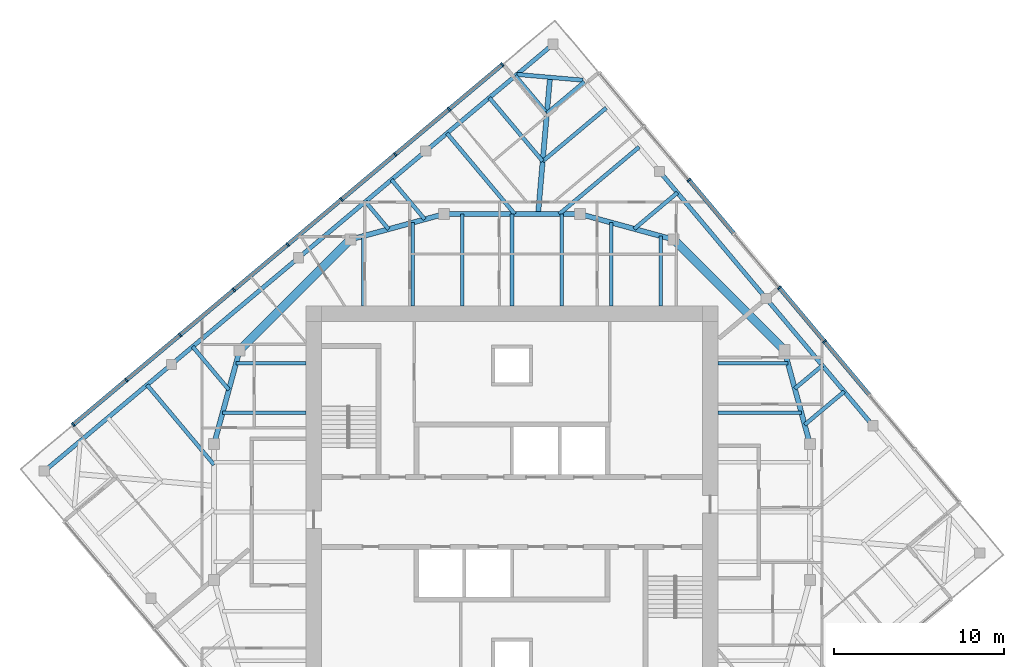
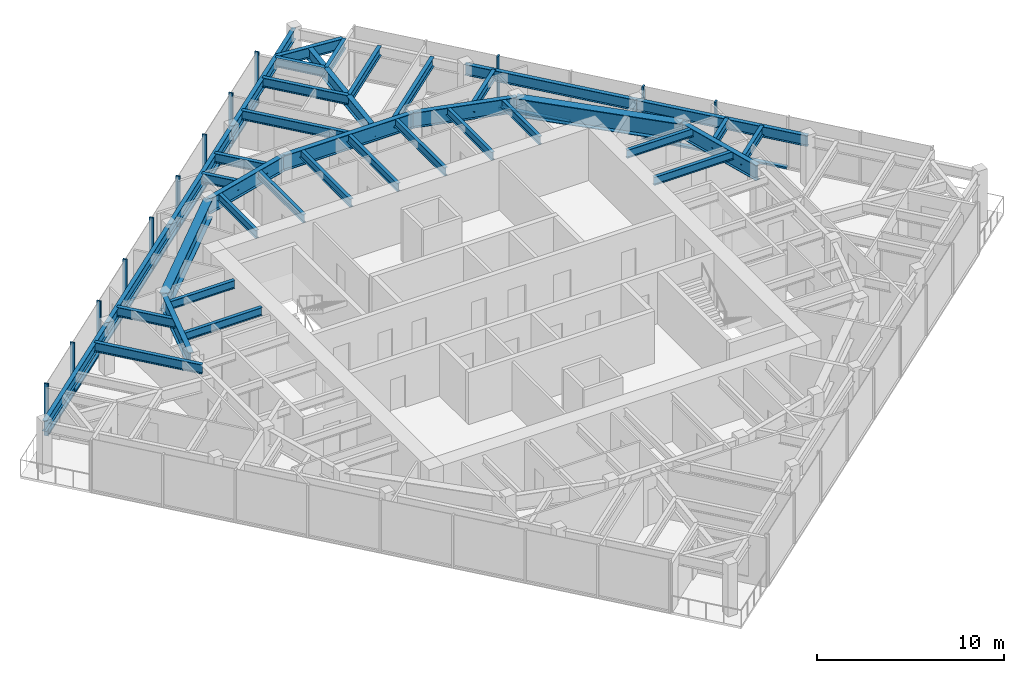
# One storey, part 4 of 12: 39 beams, 23 members, 2 elements without a shape of their own.
"""IFC4 building model written with IfcOpenShell, lengths in metres."""

from ifc_helpers import new_model, si_unit, direction, frame, origin, origin_2d, place, context, subcontext, project, spatial, rectangle, i_section, extrude, material, material_profile, profile_set, type_object, element, aggregate, save


model = new_model("IFC4")

# Units and contexts
model_context = context("Model", 3, precision=1e-05, world=origin(), true_north=direction((0.0, 1.0)))
body_context = subcontext(model_context, "Body", "Model", "MODEL_VIEW")
ifc_project = project(units=[si_unit("LENGTHUNIT", "METRE"), si_unit("AREAUNIT", "SQUARE_METRE"), si_unit("VOLUMEUNIT", "CUBIC_METRE"), si_unit("PLANEANGLEUNIT", "RADIAN"), si_unit("MASSUNIT", "GRAM", prefix="KILO")], contexts=[model_context])

# Site, building, storey
site_placement = place(None, origin())
site = spatial("IfcSite", under=ifc_project, at=site_placement, CompositionType="ELEMENT")
building_placement = place(site_placement, origin())
building = spatial("IfcBuilding", under=site, at=building_placement, Name="Torsade Residences", CompositionType="ELEMENT")
storey_placement = place(building_placement, frame((0.0, 0.0, 296.39990234375)))
storey = spatial("IfcBuildingStorey", under=building, at=storey_placement, Name="L82", CompositionType="ELEMENT", Elevation=296.39990234375)

# Beams
ifc_material_1 = material(Name="Steel grade 300", Category="steel")
ifc_material_profile_1 = material_profile(ifc_material_1, i_section(OverallWidth=0.300048828125, OverallDepth=0.800048828125, WebThickness=0.010009765625, FlangeThickness=0.02001953125, at=origin_2d()), Name="800WB146")
ifc_profile_set_1 = profile_set([ifc_material_profile_1], Name="Steel grade 300")
beam_type_1 = type_object("IfcBeamType", Name="CORNER GIRDER 800WB146", PredefinedType="BEAM", material=ifc_profile_set_1)
beam_1_placement = place(storey_placement, frame((42.234130859375, 55.53515625, 2.800048828125), z_axis=(-0.087172957961, -0.996193191806, 0.0), x_axis=(0.996193191806, -0.087172957961, 0.0)))
element("IfcBeam", 1, at=beam_1_placement, inside=storey, type_object=beam_type_1, Name="Corner girder 09 L83", PredefinedType="BEAM", context=body_context, shape_type="SweptSolid", body=[
    extrude(i_section(OverallWidth=0.300048828125, OverallDepth=0.800048828125, WebThickness=0.010009765625, FlangeThickness=0.02001953125, at=origin_2d()), origin(), (0.0, 0.0, 1.0), 8.06591796875),
])
ifc_material_2 = material(Name="Steel grade 300", Category="steel")
ifc_material_profile_2 = material_profile(ifc_material_2, i_section(OverallWidth=0.25, OverallDepth=0.699951171875, WebThickness=0.010009765625, FlangeThickness=0.02001953125, at=origin_2d()), Name="700WB130")
ifc_profile_set_2 = profile_set([ifc_material_profile_2], Name="Steel grade 300")
beam_type_2 = type_object("IfcBeamType", Name="CORNER TRIMMER 700WB130", PredefinedType="BEAM", material=ifc_profile_set_2)
beam_2_placement = place(storey_placement, frame((40.296875, 55.70458984375, 2.85009765625), z_axis=(0.996196646947, -0.087133464362, 0.0), x_axis=(0.087133464362, 0.996196646947, 0.0)))
element("IfcBeam", 2, at=beam_2_placement, inside=storey, type_object=beam_type_2, Name="Corner trimmer 09 L83", PredefinedType="BEAM", context=body_context, shape_type="SweptSolid", body=[
    extrude(i_section(OverallWidth=0.25, OverallDepth=0.699951171875, WebThickness=0.010009765625, FlangeThickness=0.02001953125, at=origin_2d()), origin(), (0.0, 0.0, 1.0), 3.88916015625),
])
ifc_material_3 = material(Name="Steel grade 300", Category="steel")
ifc_material_profile_3 = material_profile(ifc_material_3, i_section(OverallWidth=0.25, OverallDepth=0.699951171875, WebThickness=0.010009765625, FlangeThickness=0.02001953125, at=origin_2d()), Name="700WB130")
ifc_profile_set_3 = profile_set([ifc_material_profile_3], Name="Steel grade 300")
beam_type_3 = type_object("IfcBeamType", Name="EDGE BEAM 700WB130", PredefinedType="SPANDREL", material=ifc_profile_set_3)
for number, where, z_axis, x_axis, name in (
    (3, (61.205078125, 35.0654296875, 2.85009765625), (-0.642779160279, 0.766051532934, 0.0), (-0.766051532934, -0.642779160279, 0.0), "Edge beam 06 L83"),
    (4, (54.93798828125, 42.534423828125, 2.85009765625), (-0.642806184154, 0.766028856906, 0.0), (-0.766028856906, -0.642806184154, 0.0), "Edge beam 07 L83"),
    (5, (42.403564453125, 57.47216796875, 2.85009765625), (-0.766051532934, -0.642779160279, 0.0), (0.642779160279, -0.766051532934, 0.0), "Edge beam 09 L83"),
    (6, (34.9345703125, 51.205078125, 2.85009765625), (-0.766051532934, -0.642779160279, 0.0), (0.642779160279, -0.766051532934, 0.0), "Edge beam 10 L83"),
    (7, (27.465576171875, 44.93798828125, 2.85009765625), (-0.766028856906, -0.642806184154, 0.0), (0.642806184154, -0.766028856906, 0.0), "Edge beam 11 L83"),
    (8, (19.996826171875, 38.670654296875, 2.85009765625), (-0.766051532934, -0.642779160279, 0.0), (0.642779160279, -0.766051532934, 0.0), "Edge beam 12 L83"),
):
    element("IfcBeam", number, at=place(storey_placement, frame(where, z_axis=z_axis, x_axis=x_axis)), inside=storey, type_object=beam_type_3, Name=name, PredefinedType="SPANDREL", context=body_context, shape_type="SweptSolid", body=[
        extrude(i_section(OverallWidth=0.25, OverallDepth=0.699951171875, WebThickness=0.010009765625, FlangeThickness=0.02001953125, at=origin_2d()), origin(), (0.0, 0.0, 1.0), 9.75),
    ])

# Curtain wall, members
ifc_material_4 = material(Name="Aluminium and glass", Category="aluminium")
curtain_wall_type = type_object("IfcCurtainWallType", Name="FRITTED GLASS CURTAIN WALL HIGH ZONE", PredefinedType="NOTDEFINED", material=ifc_material_4)
curtain_wall_1_placement = place(storey_placement, origin())
curtain_wall_1 = element("IfcCurtainWall", 9, at=curtain_wall_1_placement, inside=storey, type_object=curtain_wall_type, Name="Curtain wall L82 face 4", PredefinedType="NOTDEFINED")
ifc_material_5 = material(Name="Aluminium mullion", Category="aluminium")
ifc_material_profile_4 = material_profile(ifc_material_5, rectangle(XDim=0.25, YDim=0.10009765625, at=origin_2d()), Name="HIGH ZONE CURTAIN WALL MULLION 250x100")
ifc_profile_set_4 = profile_set([ifc_material_profile_4], Name="Aluminium mullion")
member_type_1 = type_object("IfcMemberType", Name="HIGH ZONE CURTAIN WALL MULLION 250x100", PredefinedType="MULLION", material=ifc_profile_set_4)
member_1_placement = place(storey_placement, frame((58.35546875, 40.017333984375, 0.0), z_axis=(0.0, 0.0, 1.0), x_axis=(-0.766044437106, -0.642787616853, 0.0)))
member_1 = element("IfcMember", 10, at=member_1_placement, type_object=member_type_1, Name="Mullion 4", PredefinedType="MULLION", context=body_context, shape_type="SweptSolid", body=[
    extrude(rectangle(XDim=0.25, YDim=0.10009765625, at=origin_2d()), origin(), (0.0, 0.0, 1.0), 3.400146484375),
])
member_2_placement = place(storey_placement, frame((55.703857421875, 43.17724609375, 0.0), z_axis=(0.0, 0.0, 1.0), x_axis=(-0.766044437106, -0.642787616853, 0.0)))
member_2 = element("IfcMember", 11, at=member_2_placement, type_object=member_type_1, Name="Mullion 5", PredefinedType="MULLION", context=body_context, shape_type="SweptSolid", body=[
    extrude(rectangle(XDim=0.25, YDim=0.10009765625, at=origin_2d()), origin(), (0.0, 0.0, 1.0), 3.400146484375),
])
member_3_placement = place(storey_placement, frame((50.40087890625, 49.4970703125, 0.0), z_axis=(0.0, 0.0, 1.0), x_axis=(-0.766044437106, -0.642787616853, 0.0)))
member_3 = element("IfcMember", 12, at=member_3_placement, type_object=member_type_1, Name="Mullion 7", PredefinedType="MULLION", context=body_context, shape_type="SweptSolid", body=[
    extrude(rectangle(XDim=0.25, YDim=0.10009765625, at=origin_2d()), origin(), (0.0, 0.0, 1.0), 3.400146484375),
])

curtain_wall_2_placement = place(storey_placement, origin())
curtain_wall_2 = element("IfcCurtainWall", 13, at=curtain_wall_2_placement, inside=storey, type_object=curtain_wall_type, Name="Curtain wall L82 face 7", PredefinedType="NOTDEFINED")
member_4_placement = place(storey_placement, frame((39.42431640625, 56.27783203125, 0.0), z_axis=(0.0, 0.0, 1.0), x_axis=(0.642787616853, -0.766044437106, 0.0)))
member_4 = element("IfcMember", 14, at=member_4_placement, type_object=member_type_1, Name="Mullion 1", PredefinedType="MULLION", context=body_context, shape_type="SweptSolid", body=[
    extrude(rectangle(XDim=0.25, YDim=0.10009765625, at=origin_2d()), origin(), (0.0, 0.0, 1.0), 3.400146484375),
])
member_5_placement = place(storey_placement, frame((36.302734375, 53.658447265625, 0.0), z_axis=(0.0, 0.0, 1.0), x_axis=(0.642787616853, -0.766044437106, 0.0)))
member_5 = element("IfcMember", 15, at=member_5_placement, type_object=member_type_1, Name="Mullion 2", PredefinedType="MULLION", context=body_context, shape_type="SweptSolid", body=[
    extrude(rectangle(XDim=0.25, YDim=0.10009765625, at=origin_2d()), origin(), (0.0, 0.0, 1.0), 3.400146484375),
])
member_6_placement = place(storey_placement, frame((33.142822265625, 51.0068359375, 0.0), z_axis=(0.0, 0.0, 1.0), x_axis=(0.642787616853, -0.766044437106, 0.0)))
member_6 = element("IfcMember", 16, at=member_6_placement, type_object=member_type_1, Name="Mullion 3", PredefinedType="MULLION", context=body_context, shape_type="SweptSolid", body=[
    extrude(rectangle(XDim=0.25, YDim=0.10009765625, at=origin_2d()), origin(), (0.0, 0.0, 1.0), 3.400146484375),
])
member_7_placement = place(storey_placement, frame((29.982666015625, 48.35546875, 0.0), z_axis=(0.0, 0.0, 1.0), x_axis=(0.642787616853, -0.766044437106, 0.0)))
member_7 = element("IfcMember", 17, at=member_7_placement, type_object=member_type_1, Name="Mullion 4", PredefinedType="MULLION", context=body_context, shape_type="SweptSolid", body=[
    extrude(rectangle(XDim=0.25, YDim=0.10009765625, at=origin_2d()), origin(), (0.0, 0.0, 1.0), 3.400146484375),
])
member_8_placement = place(storey_placement, frame((26.82275390625, 45.703857421875, 0.0), z_axis=(0.0, 0.0, 1.0), x_axis=(0.642787616853, -0.766044437106, 0.0)))
member_8 = element("IfcMember", 18, at=member_8_placement, type_object=member_type_1, Name="Mullion 5", PredefinedType="MULLION", context=body_context, shape_type="SweptSolid", body=[
    extrude(rectangle(XDim=0.25, YDim=0.10009765625, at=origin_2d()), origin(), (0.0, 0.0, 1.0), 3.400146484375),
])
member_9_placement = place(storey_placement, frame((23.662841796875, 43.052490234375, 0.0), z_axis=(0.0, 0.0, 1.0), x_axis=(0.642787616853, -0.766044437106, 0.0)))
member_9 = element("IfcMember", 19, at=member_9_placement, type_object=member_type_1, Name="Mullion 6", PredefinedType="MULLION", context=body_context, shape_type="SweptSolid", body=[
    extrude(rectangle(XDim=0.25, YDim=0.10009765625, at=origin_2d()), origin(), (0.0, 0.0, 1.0), 3.400146484375),
])
member_10_placement = place(storey_placement, frame((20.5029296875, 40.40087890625, 0.0), z_axis=(0.0, 0.0, 1.0), x_axis=(0.642787616853, -0.766044437106, 0.0)))
member_10 = element("IfcMember", 20, at=member_10_placement, type_object=member_type_1, Name="Mullion 7", PredefinedType="MULLION", context=body_context, shape_type="SweptSolid", body=[
    extrude(rectangle(XDim=0.25, YDim=0.10009765625, at=origin_2d()), origin(), (0.0, 0.0, 1.0), 3.400146484375),
])
member_11_placement = place(storey_placement, frame((17.343017578125, 37.74951171875, 0.0), z_axis=(0.0, 0.0, 1.0), x_axis=(0.642787616853, -0.766044437106, 0.0)))
member_11 = element("IfcMember", 21, at=member_11_placement, type_object=member_type_1, Name="Mullion 8", PredefinedType="MULLION", context=body_context, shape_type="SweptSolid", body=[
    extrude(rectangle(XDim=0.25, YDim=0.10009765625, at=origin_2d()), origin(), (0.0, 0.0, 1.0), 3.400146484375),
])
member_12_placement = place(storey_placement, frame((14.221435546875, 35.130126953125, 0.0), z_axis=(0.0, 0.0, 1.0), x_axis=(0.642787616853, -0.766044437106, 0.0)))
member_12 = element("IfcMember", 22, at=member_12_placement, type_object=member_type_1, Name="Mullion 9", PredefinedType="MULLION", context=body_context, shape_type="SweptSolid", body=[
    extrude(rectangle(XDim=0.25, YDim=0.10009765625, at=origin_2d()), origin(), (0.0, 0.0, 1.0), 3.400146484375),
])

# Member
ifc_material_6 = material(Name="Aluminium transom", Category="aluminium")
ifc_material_profile_5 = material_profile(ifc_material_6, rectangle(XDim=0.25, YDim=0.1201171875, at=origin_2d()), Name="HIGH ZONE CURTAIN WALL TRANSOM 250x120")
ifc_profile_set_5 = profile_set([ifc_material_profile_5], Name="Aluminium transom")
member_type_2 = type_object("IfcMemberType", Name="HIGH ZONE CURTAIN WALL TRANSOM 250x120", PredefinedType="USERDEFINED", material=ifc_profile_set_5)
member_13_placement = place(storey_placement, frame((60.974853515625, 36.8955078125, 0.06005859375), z_axis=(-0.642793719372, 0.766039316443, 0.0), x_axis=(-0.766039316443, -0.642793719372, 0.0)))
member_13 = element("IfcMember", 23, at=member_13_placement, type_object=member_type_2, Name="Transom 3.1", ObjectType="TRANSOM", PredefinedType="USERDEFINED", context=body_context, shape_type="SweptSolid", body=[
    extrude(rectangle(XDim=0.25, YDim=0.1201171875, at=origin_2d()), origin(), (0.0, 0.0, 1.0), 4.025146484375),
])

member_14_placement = place(storey_placement, frame((58.3232421875, 40.055419921875, 0.06005859375), z_axis=(-0.6427581255, 0.766069182322, 0.0), x_axis=(-0.766069182322, -0.6427581255, 0.0)))
member_14 = element("IfcMember", 24, at=member_14_placement, type_object=member_type_2, Name="Transom 4.1", ObjectType="TRANSOM", PredefinedType="USERDEFINED", context=body_context, shape_type="SweptSolid", body=[
    extrude(rectangle(XDim=0.25, YDim=0.1201171875, at=origin_2d()), origin(), (0.0, 0.0, 1.0), 4.025146484375),
])

member_15_placement = place(storey_placement, frame((53.020263671875, 46.37548828125, 0.06005859375), z_axis=(-0.642787992616, 0.766044121803, 0.0), x_axis=(-0.766044121803, -0.642787992616, 0.0)))
member_15 = element("IfcMember", 25, at=member_15_placement, type_object=member_type_2, Name="Transom 6.1", ObjectType="TRANSOM", PredefinedType="USERDEFINED", context=body_context, shape_type="SweptSolid", body=[
    extrude(rectangle(XDim=0.25, YDim=0.1201171875, at=origin_2d()), origin(), (0.0, 0.0, 1.0), 4.02490234375),
])

aggregate(curtain_wall_1, [member_1, member_2, member_3, member_13, member_14, member_15])

member_16_placement = place(storey_placement, frame((39.385986328125, 56.24560546875, 0.06005859375), z_axis=(-0.766021778456, -0.642814619413, 0.0), x_axis=(0.642814619413, -0.766021778456, 0.0)))
member_16 = element("IfcMember", 26, at=member_16_placement, type_object=member_type_2, Name="Transom 1.1", ObjectType="TRANSOM", PredefinedType="USERDEFINED", context=body_context, shape_type="SweptSolid", body=[
    extrude(rectangle(XDim=0.25, YDim=0.1201171875, at=origin_2d()), origin(), (0.0, 0.0, 1.0), 3.97509765625),
])

member_17_placement = place(storey_placement, frame((36.264404296875, 53.626220703125, 0.06005859375), z_axis=(-0.766069182322, -0.6427581255, 0.0), x_axis=(0.6427581255, -0.766069182322, 0.0)))
member_17 = element("IfcMember", 27, at=member_17_placement, type_object=member_type_2, Name="Transom 2.1", ObjectType="TRANSOM", PredefinedType="USERDEFINED", context=body_context, shape_type="SweptSolid", body=[
    extrude(rectangle(XDim=0.25, YDim=0.1201171875, at=origin_2d()), origin(), (0.0, 0.0, 1.0), 4.025146484375),
])

member_18_placement = place(storey_placement, frame((33.1044921875, 50.974853515625, 0.06005859375), z_axis=(-0.766039316443, -0.642793719372, 0.0), x_axis=(0.642793719372, -0.766039316443, 0.0)))
member_18 = element("IfcMember", 28, at=member_18_placement, type_object=member_type_2, Name="Transom 3.1", ObjectType="TRANSOM", PredefinedType="USERDEFINED", context=body_context, shape_type="SweptSolid", body=[
    extrude(rectangle(XDim=0.25, YDim=0.1201171875, at=origin_2d()), origin(), (0.0, 0.0, 1.0), 4.025146484375),
])

member_19_placement = place(storey_placement, frame((29.944580078125, 48.3232421875, 0.06005859375), z_axis=(-0.766069182322, -0.6427581255, 0.0), x_axis=(0.6427581255, -0.766069182322, 0.0)))
member_19 = element("IfcMember", 29, at=member_19_placement, type_object=member_type_2, Name="Transom 4.1", ObjectType="TRANSOM", PredefinedType="USERDEFINED", context=body_context, shape_type="SweptSolid", body=[
    extrude(rectangle(XDim=0.25, YDim=0.1201171875, at=origin_2d()), origin(), (0.0, 0.0, 1.0), 4.025146484375),
])

member_20_placement = place(storey_placement, frame((26.78466796875, 45.671875, 0.06005859375), z_axis=(-0.766039316443, -0.642793719372, 0.0), x_axis=(0.642793719372, -0.766039316443, 0.0)))
member_20 = element("IfcMember", 30, at=member_20_placement, type_object=member_type_2, Name="Transom 5.1", ObjectType="TRANSOM", PredefinedType="USERDEFINED", context=body_context, shape_type="SweptSolid", body=[
    extrude(rectangle(XDim=0.25, YDim=0.1201171875, at=origin_2d()), origin(), (0.0, 0.0, 1.0), 4.025146484375),
])

member_21_placement = place(storey_placement, frame((23.62451171875, 43.020263671875, 0.06005859375), z_axis=(-0.766044121803, -0.642787992616, 0.0), x_axis=(0.642787992616, -0.766044121803, 0.0)))
member_21 = element("IfcMember", 31, at=member_21_placement, type_object=member_type_2, Name="Transom 6.1", ObjectType="TRANSOM", PredefinedType="USERDEFINED", context=body_context, shape_type="SweptSolid", body=[
    extrude(rectangle(XDim=0.25, YDim=0.1201171875, at=origin_2d()), origin(), (0.0, 0.0, 1.0), 4.02490234375),
])

member_22_placement = place(storey_placement, frame((20.464599609375, 40.36865234375, 0.06005859375), z_axis=(-0.766044121803, -0.642787992616, 0.0), x_axis=(0.642787992616, -0.766044121803, 0.0)))
member_22 = element("IfcMember", 32, at=member_22_placement, type_object=member_type_2, Name="Transom 7.1", ObjectType="TRANSOM", PredefinedType="USERDEFINED", context=body_context, shape_type="SweptSolid", body=[
    extrude(rectangle(XDim=0.25, YDim=0.1201171875, at=origin_2d()), origin(), (0.0, 0.0, 1.0), 4.02490234375),
])

member_23_placement = place(storey_placement, frame((17.3046875, 37.71728515625, 0.06005859375), z_axis=(-0.766021778456, -0.642814619413, 0.0), x_axis=(0.642814619413, -0.766021778456, 0.0)))
member_23 = element("IfcMember", 33, at=member_23_placement, type_object=member_type_2, Name="Transom 8.1", ObjectType="TRANSOM", PredefinedType="USERDEFINED", context=body_context, shape_type="SweptSolid", body=[
    extrude(rectangle(XDim=0.25, YDim=0.1201171875, at=origin_2d()), origin(), (0.0, 0.0, 1.0), 3.97509765625),
])

aggregate(curtain_wall_2, [member_4, member_5, member_6, member_7, member_8, member_9, member_10, member_11, member_12, member_16, member_17, member_18, member_19, member_20, member_21, member_22, member_23])

# Beams
ifc_material_7 = material(Name="Steel grade 300", Category="steel")
ifc_material_profile_6 = material_profile(ifc_material_7, i_section(OverallWidth=0.208984375, OverallDepth=0.528076171875, WebThickness=0.009521484375, FlangeThickness=0.01318359375, FilletRadius=0.013916015625, at=origin_2d()), Name="530UB82.0")
ifc_profile_set_6 = profile_set([ifc_material_profile_6], Name="Steel grade 300")
beam_type_4 = type_object("IfcBeamType", Name="INNER FLOOR BEAM 530UB82.0", PredefinedType="JOIST", material=ifc_profile_set_6)
beam_3_placement = place(storey_placement, frame((31.262451171875, 42.10009765625, 2.93603515625), z_axis=(0.0, 1.0, 0.0), x_axis=(-1.0, 0.0, 0.0)))
element("IfcBeam", 34, at=beam_3_placement, inside=storey, type_object=beam_type_4, Name="Inner floor beam IN01 L83", PredefinedType="JOIST", context=body_context, shape_type="SweptSolid", body=[
    extrude(i_section(OverallWidth=0.208984375, OverallDepth=0.528076171875, WebThickness=0.009521484375, FlangeThickness=0.01318359375, FilletRadius=0.013916015625, at=origin_2d()), origin(), (0.0, 0.0, 1.0), 4.10791015625),
])
beam_4_placement = place(storey_placement, frame((34.175048828125, 42.10009765625, 2.93603515625), z_axis=(0.0, 1.0, 0.0), x_axis=(-1.0, 0.0, 0.0)))
element("IfcBeam", 35, at=beam_4_placement, inside=storey, type_object=beam_type_4, Name="Inner floor beam IN02 L83", PredefinedType="JOIST", context=body_context, shape_type="SweptSolid", body=[
    extrude(i_section(OverallWidth=0.208984375, OverallDepth=0.528076171875, WebThickness=0.009521484375, FlangeThickness=0.01318359375, FilletRadius=0.013916015625, at=origin_2d()), origin(), (0.0, 0.0, 1.0), 4.902099609375),
])
for number, where, z_axis, x_axis, name in (
    (36, (37.08740234375, 42.10009765625, 2.93603515625), (0.0, 1.0, 0.0), (-1.0, 0.0, 0.0), "Inner floor beam IN03 L83"),
    (37, (40.0, 42.10009765625, 2.93603515625), (0.0, 1.0, 0.0), (-1.0, 0.0, 0.0), "Inner floor beam IN04 L83"),
    (38, (42.91259765625, 42.10009765625, 2.93603515625), (0.0, 1.0, 0.0), (-1.0, 0.0, 0.0), "Inner floor beam IN05 L83"),
):
    element("IfcBeam", number, at=place(storey_placement, frame(where, z_axis=z_axis, x_axis=x_axis)), inside=storey, type_object=beam_type_4, Name=name, PredefinedType="JOIST", context=body_context, shape_type="SweptSolid", body=[
        extrude(i_section(OverallWidth=0.208984375, OverallDepth=0.528076171875, WebThickness=0.009521484375, FlangeThickness=0.01318359375, FilletRadius=0.013916015625, at=origin_2d()), origin(), (0.0, 0.0, 1.0), 5.39990234375),
    ])
beam_5_placement = place(storey_placement, frame((45.824951171875, 42.10009765625, 2.93603515625), z_axis=(0.0, 1.0, 0.0), x_axis=(-1.0, 0.0, 0.0)))
element("IfcBeam", 39, at=beam_5_placement, inside=storey, type_object=beam_type_4, Name="Inner floor beam IN06 L83", PredefinedType="JOIST", context=body_context, shape_type="SweptSolid", body=[
    extrude(i_section(OverallWidth=0.208984375, OverallDepth=0.528076171875, WebThickness=0.009521484375, FlangeThickness=0.01318359375, FilletRadius=0.013916015625, at=origin_2d()), origin(), (0.0, 0.0, 1.0), 4.902099609375),
])
beam_6_placement = place(storey_placement, frame((48.737548828125, 42.10009765625, 2.93603515625), z_axis=(0.0, 1.0, 0.0), x_axis=(-1.0, 0.0, 0.0)))
element("IfcBeam", 40, at=beam_6_placement, inside=storey, type_object=beam_type_4, Name="Inner floor beam IN07 L83", PredefinedType="JOIST", context=body_context, shape_type="SweptSolid", body=[
    extrude(i_section(OverallWidth=0.208984375, OverallDepth=0.528076171875, WebThickness=0.009521484375, FlangeThickness=0.01318359375, FilletRadius=0.013916015625, at=origin_2d()), origin(), (0.0, 0.0, 1.0), 4.10791015625),
])
beam_7_placement = place(storey_placement, frame((52.10009765625, 35.824951171875, 2.93603515625), z_axis=(1.0, 0.0, 0.0), x_axis=(0.0, 1.0, 0.0)))
element("IfcBeam", 41, at=beam_7_placement, inside=storey, type_object=beam_type_4, Name="Inner floor beam IE06 L83", PredefinedType="JOIST", context=body_context, shape_type="SweptSolid", body=[
    extrude(i_section(OverallWidth=0.208984375, OverallDepth=0.528076171875, WebThickness=0.009521484375, FlangeThickness=0.01318359375, FilletRadius=0.013916015625, at=origin_2d()), origin(), (0.0, 0.0, 1.0), 4.902099609375),
])
for number, where, z_axis, x_axis, name in (
    (42, (52.10009765625, 38.737548828125, 2.93603515625), (1.0, 0.0, 0.0), (0.0, 1.0, 0.0), "Inner floor beam IE07 L83"),
    (43, (27.89990234375, 38.737548828125, 2.93603515625), (-1.0, 0.0, 0.0), (0.0, -1.0, 0.0), "Inner floor beam IW01 L83"),
):
    element("IfcBeam", number, at=place(storey_placement, frame(where, z_axis=z_axis, x_axis=x_axis)), inside=storey, type_object=beam_type_4, Name=name, PredefinedType="JOIST", context=body_context, shape_type="SweptSolid", body=[
        extrude(i_section(OverallWidth=0.208984375, OverallDepth=0.528076171875, WebThickness=0.009521484375, FlangeThickness=0.01318359375, FilletRadius=0.013916015625, at=origin_2d()), origin(), (0.0, 0.0, 1.0), 4.10791015625),
    ])
beam_8_placement = place(storey_placement, frame((27.89990234375, 35.824951171875, 2.93603515625), z_axis=(-1.0, 0.0, 0.0), x_axis=(0.0, -1.0, 0.0)))
element("IfcBeam", 44, at=beam_8_placement, inside=storey, type_object=beam_type_4, Name="Inner floor beam IW02 L83", PredefinedType="JOIST", context=body_context, shape_type="SweptSolid", body=[
    extrude(i_section(OverallWidth=0.208984375, OverallDepth=0.528076171875, WebThickness=0.009521484375, FlangeThickness=0.01318359375, FilletRadius=0.013916015625, at=origin_2d()), origin(), (0.0, 0.0, 1.0), 4.902099609375),
])
ifc_material_8 = material(Name="Steel grade 300", Category="steel")
ifc_material_profile_7 = material_profile(ifc_material_8, i_section(OverallWidth=0.5, OverallDepth=1.199951171875, WebThickness=0.01611328125, FlangeThickness=0.0400390625, at=origin_2d()), Name="1200WB455")
ifc_profile_set_7 = profile_set([ifc_material_profile_7], Name="Steel grade 300")
beam_type_5 = type_object("IfcBeamType", Name="RING CORNER GIRDER 1200WB455", PredefinedType="BEAM", material=ifc_profile_set_7)
for number, where, z_axis, x_axis, name in (
    (45, (56.0, 39.5, 2.60009765625), (-0.707106781187, 0.707106781187, 0.0), (-0.707106781187, -0.707106781187, 0.0), "Ring girder IR03 L83"),
    (46, (30.5, 46.0, 2.60009765625), (-0.707106781187, -0.707106781187, 0.0), (0.707106781187, -0.707106781187, 0.0), "Ring girder IR07 L83"),
):
    element("IfcBeam", number, at=place(storey_placement, frame(where, z_axis=z_axis, x_axis=x_axis)), inside=storey, type_object=beam_type_5, Name=name, PredefinedType="BEAM", context=body_context, shape_type="SweptSolid", body=[
        extrude(i_section(OverallWidth=0.5, OverallDepth=1.199951171875, WebThickness=0.01611328125, FlangeThickness=0.0400390625, at=origin_2d()), origin(), (0.0, 0.0, 1.0), 9.1923828125),
    ])
ifc_material_9 = material(Name="Steel grade 300", Category="steel")
ifc_material_profile_8 = material_profile(ifc_material_9, i_section(OverallWidth=0.300048828125, OverallDepth=1.0, WebThickness=0.01611328125, FlangeThickness=0.028076171875, at=origin_2d()), Name="1000WB215")
ifc_profile_set_8 = profile_set([ifc_material_profile_8], Name="Steel grade 300")
beam_type_6 = type_object("IfcBeamType", Name="RING GIRDER 1000WB215", PredefinedType="BEAM", material=ifc_profile_set_8)
for number, where, z_axis, x_axis, name in (
    (47, (57.5, 34.0, 2.7001953125), (-0.263117405792, 0.964763821238, 0.0), (-0.964763821238, -0.263117405792, 0.0), "Ring girder IR02 L83"),
    (48, (49.5, 46.0, 2.7001953125), (-0.964763821238, 0.263117405792, 0.0), (-0.263117405792, -0.964763821238, 0.0), "Ring girder IR04 L83"),
):
    element("IfcBeam", number, at=place(storey_placement, frame(where, z_axis=z_axis, x_axis=x_axis)), inside=storey, type_object=beam_type_6, Name=name, PredefinedType="BEAM", context=body_context, shape_type="SweptSolid", body=[
        extrude(i_section(OverallWidth=0.300048828125, OverallDepth=1.0, WebThickness=0.01611328125, FlangeThickness=0.028076171875, at=origin_2d()), origin(), (0.0, 0.0, 1.0), 5.700927734375),
    ])
beam_9_placement = place(storey_placement, frame((44.0, 47.5, 2.7001953125), z_axis=(-1.0, 0.0, 0.0), x_axis=(0.0, -1.0, 0.0)))
element("IfcBeam", 49, at=beam_9_placement, inside=storey, type_object=beam_type_6, Name="Ring girder IR05 L83", PredefinedType="BEAM", context=body_context, shape_type="SweptSolid", body=[
    extrude(i_section(OverallWidth=0.300048828125, OverallDepth=1.0, WebThickness=0.01611328125, FlangeThickness=0.028076171875, at=origin_2d()), origin(), (0.0, 0.0, 1.0), 8.0),
])
for number, where, z_axis, x_axis, name in (
    (50, (36.0, 47.5, 2.7001953125), (-0.964763821238, -0.263117405792, 0.0), (0.263117405792, -0.964763821238, 0.0), "Ring girder IR06 L83"),
    (51, (24.0, 39.5, 2.7001953125), (-0.263117405792, -0.964763821238, 0.0), (0.964763821238, -0.263117405792, 0.0), "Ring girder IR08 L83"),
):
    element("IfcBeam", number, at=place(storey_placement, frame(where, z_axis=z_axis, x_axis=x_axis)), inside=storey, type_object=beam_type_6, Name=name, PredefinedType="BEAM", context=body_context, shape_type="SweptSolid", body=[
        extrude(i_section(OverallWidth=0.300048828125, OverallDepth=1.0, WebThickness=0.01611328125, FlangeThickness=0.028076171875, at=origin_2d()), origin(), (0.0, 0.0, 1.0), 5.700927734375),
    ])
ifc_material_10 = material(Name="Steel grade 300", Category="steel")
ifc_material_profile_9 = material_profile(ifc_material_10, i_section(OverallWidth=0.22900390625, OverallDepth=0.612060546875, WebThickness=0.011962890625, FlangeThickness=0.01953125, FilletRadius=0.013916015625, at=origin_2d()), Name="610UB125")
ifc_profile_set_9 = profile_set([ifc_material_profile_9], Name="Steel grade 300")
beam_type_7 = type_object("IfcBeamType", Name="SECONDARY BEAM 610UB125", PredefinedType="JOIST", material=ifc_profile_set_9)
beam_10_placement = place(storey_placement, frame((59.517822265625, 37.076171875, 2.89404296875), z_axis=(-0.766080361029, -0.64274480196, 0.0), x_axis=(0.64274480196, -0.766080361029, 0.0)))
element("IfcBeam", 52, at=beam_10_placement, inside=storey, type_object=beam_type_7, Name="Floor beam FE04 L83", PredefinedType="JOIST", context=body_context, shape_type="SweptSolid", body=[
    extrude(i_section(OverallWidth=0.22900390625, OverallDepth=0.612060546875, WebThickness=0.011962890625, FlangeThickness=0.01953125, FilletRadius=0.013916015625, at=origin_2d()), origin(), (0.0, 0.0, 1.0), 3.03466796875),
])
beam_11_placement = place(storey_placement, frame((58.232177734375, 38.6083984375, 2.89404296875), z_axis=(-0.766057560226, -0.642771977004, 0.0), x_axis=(0.642771977004, -0.766057560226, 0.0)))
element("IfcBeam", 53, at=beam_11_placement, inside=storey, type_object=beam_type_7, Name="Floor beam FE05 L83", PredefinedType="JOIST", context=body_context, shape_type="SweptSolid", body=[
    extrude(i_section(OverallWidth=0.22900390625, OverallDepth=0.612060546875, WebThickness=0.011962890625, FlangeThickness=0.01953125, FilletRadius=0.013916015625, at=origin_2d()), origin(), (0.0, 0.0, 1.0), 2.113037109375),
])
beam_12_placement = place(storey_placement, frame((49.71533203125, 48.758544921875, 2.89404296875), z_axis=(-0.766044990879, -0.642786956891, 0.0), x_axis=(0.642786956891, -0.766044990879, 0.0)))
element("IfcBeam", 54, at=beam_12_placement, inside=storey, type_object=beam_type_7, Name="Floor beam FE09 L83", PredefinedType="JOIST", context=body_context, shape_type="SweptSolid", body=[
    extrude(i_section(OverallWidth=0.22900390625, OverallDepth=0.612060546875, WebThickness=0.011962890625, FlangeThickness=0.01953125, FilletRadius=0.013916015625, at=origin_2d()), origin(), (0.0, 0.0, 1.0), 3.307861328125),
])
beam_13_placement = place(storey_placement, frame((47.465576171875, 51.439697265625, 2.89404296875), z_axis=(-0.766039049329, -0.642794037701, 0.0), x_axis=(0.642794037701, -0.766039049329, 0.0)))
element("IfcBeam", 55, at=beam_13_placement, inside=storey, type_object=beam_type_7, Name="Floor beam FE10 L83", PredefinedType="JOIST", context=body_context, shape_type="SweptSolid", body=[
    extrude(i_section(OverallWidth=0.22900390625, OverallDepth=0.612060546875, WebThickness=0.011962890625, FlangeThickness=0.01953125, FilletRadius=0.013916015625, at=origin_2d()), origin(), (0.0, 0.0, 1.0), 6.12890625),
])
beam_14_placement = place(storey_placement, frame((45.537109375, 53.73779296875, 2.89404296875), z_axis=(-0.766041186946, -0.642791490223, 0.0), x_axis=(0.642791490223, -0.766041186946, 0.0)))
element("IfcBeam", 56, at=beam_14_placement, inside=storey, type_object=beam_type_7, Name="Floor beam FE11 L83", PredefinedType="JOIST", context=body_context, shape_type="SweptSolid", body=[
    extrude(i_section(OverallWidth=0.22900390625, OverallDepth=0.612060546875, WebThickness=0.011962890625, FlangeThickness=0.01953125, FilletRadius=0.013916015625, at=origin_2d()), origin(), (0.0, 0.0, 1.0), 4.875),
])
for number, where, z_axis, x_axis, name in (
    (57, (44.25146484375, 55.269775390625, 2.89404296875), (-0.766066093402, -0.642761807001, 0.0), (0.642761807001, -0.766066093402, 0.0), "Floor beam FE12 L83"),
    (58, (40.201171875, 55.624267578125, 2.89404296875), (0.642761807001, -0.766066093402, 0.0), (0.766066093402, 0.642761807001, 0.0), "Floor beam FN01 L83"),
):
    element("IfcBeam", number, at=place(storey_placement, frame(where, z_axis=z_axis, x_axis=x_axis)), inside=storey, type_object=beam_type_7, Name=name, PredefinedType="JOIST", context=body_context, shape_type="SweptSolid", body=[
        extrude(i_section(OverallWidth=0.22900390625, OverallDepth=0.612060546875, WebThickness=0.011962890625, FlangeThickness=0.01953125, FilletRadius=0.013916015625, at=origin_2d()), origin(), (0.0, 0.0, 1.0), 2.875),
    ])
beam_15_placement = place(storey_placement, frame((38.6689453125, 54.338623046875, 2.89404296875), z_axis=(0.642820877376, -0.766016526982, 0.0), x_axis=(0.766016526982, 0.642820877376, 0.0)))
element("IfcBeam", 59, at=beam_15_placement, inside=storey, type_object=beam_type_7, Name="Floor beam FN02 L83", PredefinedType="JOIST", context=body_context, shape_type="SweptSolid", body=[
    extrude(i_section(OverallWidth=0.22900390625, OverallDepth=0.612060546875, WebThickness=0.011962890625, FlangeThickness=0.01953125, FilletRadius=0.013916015625, at=origin_2d()), origin(), (0.0, 0.0, 1.0), 4.875),
])
beam_16_placement = place(storey_placement, frame((36.179443359375, 52.24951171875, 2.89404296875), z_axis=(0.642791209238, -0.766041422722, 0.0), x_axis=(0.766041422722, 0.642791209238, 0.0)))
element("IfcBeam", 60, at=beam_16_placement, inside=storey, type_object=beam_type_7, Name="Floor beam FN03 L83", PredefinedType="JOIST", context=body_context, shape_type="SweptSolid", body=[
    extrude(i_section(OverallWidth=0.22900390625, OverallDepth=0.612060546875, WebThickness=0.011962890625, FlangeThickness=0.01953125, FilletRadius=0.013916015625, at=origin_2d()), origin(), (0.0, 0.0, 1.0), 6.199951171875),
])
beam_17_placement = place(storey_placement, frame((32.923828125, 49.517822265625, 2.89404296875), z_axis=(0.64274480196, -0.766080361029, 0.0), x_axis=(0.766080361029, 0.64274480196, 0.0)))
element("IfcBeam", 61, at=beam_17_placement, inside=storey, type_object=beam_type_7, Name="Floor beam FN04 L83", PredefinedType="JOIST", context=body_context, shape_type="SweptSolid", body=[
    extrude(i_section(OverallWidth=0.22900390625, OverallDepth=0.612060546875, WebThickness=0.011962890625, FlangeThickness=0.01953125, FilletRadius=0.013916015625, at=origin_2d()), origin(), (0.0, 0.0, 1.0), 3.03466796875),
])
beam_18_placement = place(storey_placement, frame((31.3916015625, 48.232177734375, 2.89404296875), z_axis=(0.642771977004, -0.766057560226, 0.0), x_axis=(0.766057560226, 0.642771977004, 0.0)))
element("IfcBeam", 62, at=beam_18_placement, inside=storey, type_object=beam_type_7, Name="Floor beam FN05 L83", PredefinedType="JOIST", context=body_context, shape_type="SweptSolid", body=[
    extrude(i_section(OverallWidth=0.22900390625, OverallDepth=0.612060546875, WebThickness=0.011962890625, FlangeThickness=0.01953125, FilletRadius=0.013916015625, at=origin_2d()), origin(), (0.0, 0.0, 1.0), 2.113037109375),
])
beam_19_placement = place(storey_placement, frame((21.241455078125, 39.71533203125, 2.89404296875), z_axis=(0.642786956891, -0.766044990879, 0.0), x_axis=(0.766044990879, 0.642786956891, 0.0)))
element("IfcBeam", 63, at=beam_19_placement, inside=storey, type_object=beam_type_7, Name="Floor beam FN09 L83", PredefinedType="JOIST", context=body_context, shape_type="SweptSolid", body=[
    extrude(i_section(OverallWidth=0.22900390625, OverallDepth=0.612060546875, WebThickness=0.011962890625, FlangeThickness=0.01953125, FilletRadius=0.013916015625, at=origin_2d()), origin(), (0.0, 0.0, 1.0), 3.307861328125),
])
beam_20_placement = place(storey_placement, frame((18.560302734375, 37.465576171875, 2.89404296875), z_axis=(0.642794037701, -0.766039049329, 0.0), x_axis=(0.766039049329, 0.642794037701, 0.0)))
element("IfcBeam", 64, at=beam_20_placement, inside=storey, type_object=beam_type_7, Name="Floor beam FN10 L83", PredefinedType="JOIST", context=body_context, shape_type="SweptSolid", body=[
    extrude(i_section(OverallWidth=0.22900390625, OverallDepth=0.612060546875, WebThickness=0.011962890625, FlangeThickness=0.01953125, FilletRadius=0.013916015625, at=origin_2d()), origin(), (0.0, 0.0, 1.0), 6.12890625),
])

save(model, "model.ifc")
